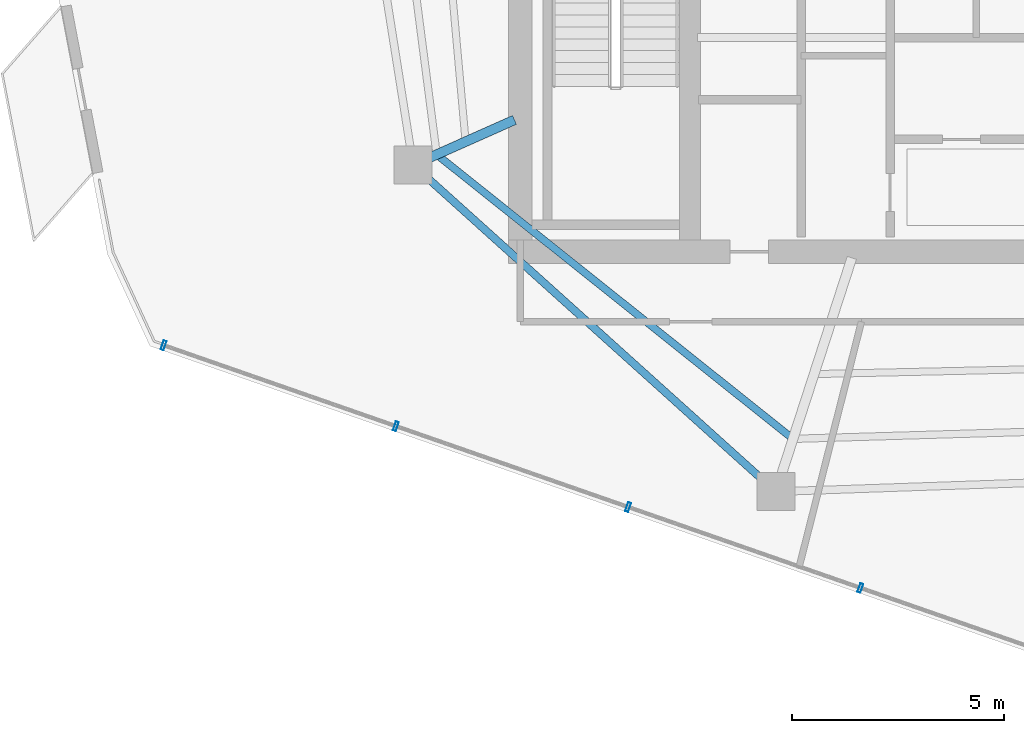
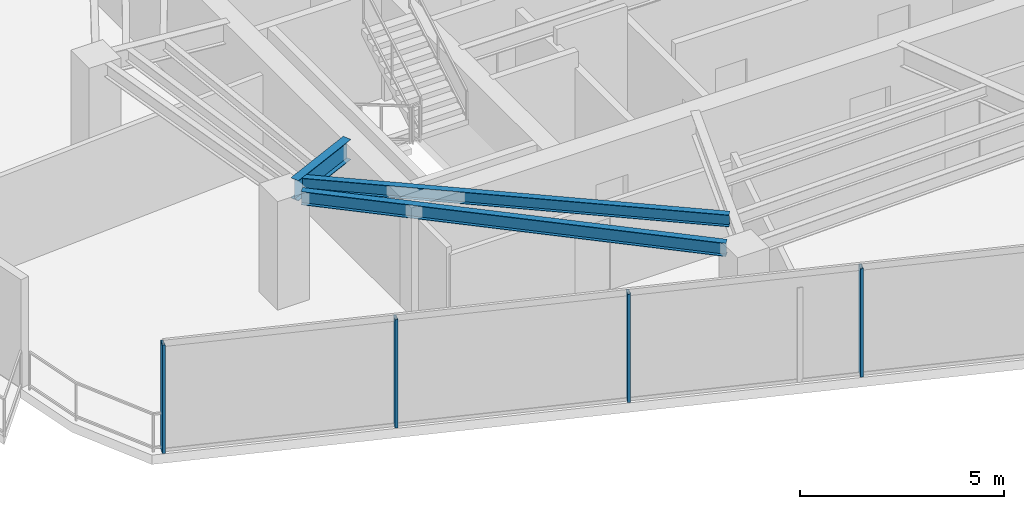
# One storey, part 2 of 18: 4 members, 3 beams, 1 element without a shape of its own.
"""IFC4 building model written with IfcOpenShell, lengths in metres."""

from ifc_helpers import new_model, si_unit, direction, frame, origin, origin_2d, place, context, subcontext, project, spatial, hollow_rectangle, i_section, extrude, material, layer, layer_set, material_profile, profile_set, type_object, element, aggregate, save


model = new_model("IFC4")

# Units and contexts
model_context = context("Model", 3, precision=1e-05, world=origin(), true_north=direction((0.0, 1.0)))
body_context = subcontext(model_context, "Body", "Model", "MODEL_VIEW")
ifc_project = project(units=[si_unit("LENGTHUNIT", "METRE"), si_unit("AREAUNIT", "SQUARE_METRE"), si_unit("VOLUMEUNIT", "CUBIC_METRE"), si_unit("PLANEANGLEUNIT", "RADIAN"), si_unit("MASSUNIT", "GRAM", prefix="KILO")], contexts=[model_context])

# Site, building, storey
site_placement = place(None, origin())
site = spatial("IfcSite", under=ifc_project, at=site_placement, CompositionType="ELEMENT")
building_placement = place(site_placement, origin())
building = spatial("IfcBuilding", under=site, at=building_placement, Name="Qarnah Convention Tower", CompositionType="ELEMENT")
storey_placement = place(building_placement, frame((0.0, 0.0, 220.199951171875)))
storey = spatial("IfcBuildingStorey", under=building, at=storey_placement, Name="L59", CompositionType="ELEMENT", Elevation=220.199951171875)

# Beams
ifc_material_1 = material(Name="Structural steel S355JR", Category="steel")
ifc_material_profile_1 = material_profile(ifc_material_1, i_section(OverallWidth=0.172119140625, OverallDepth=0.35595703125, WebThickness=0.007080078125, FlangeThickness=0.011962890625, at=origin_2d()), Name="W360X51")
ifc_profile_set_1 = profile_set([ifc_material_profile_1], Name="Structural steel S355JR")
beam_type_1 = type_object("IfcBeamType", Name="BM-JST-W360", PredefinedType="JOIST", material=ifc_profile_set_1)
beam_1_placement = place(storey_placement, frame((24.89892578125, 20.8359375, 3.06201171875), z_axis=(0.781677166358, -0.62368325903, 0.0), x_axis=(0.62368325903, 0.781677166358, 0.0)))
element("IfcBeam", 1, at=beam_1_placement, inside=storey, type_object=beam_type_1, Name="L59 joist BM-L59-SJST-06", PredefinedType="JOIST", context=body_context, shape_type="SweptSolid", body=[
    extrude(i_section(OverallWidth=0.172119140625, OverallDepth=0.35595703125, WebThickness=0.007080078125, FlangeThickness=0.011962890625, at=origin_2d()), origin(), (0.0, 0.0, 1.0), 10.569580078125),
])
ifc_material_profile_2 = material_profile(ifc_material_1, i_section(OverallWidth=0.22802734375, OverallDepth=0.60791015625, WebThickness=0.010986328125, FlangeThickness=0.01708984375, at=origin_2d()), Name="W610X113")
ifc_profile_set_2 = profile_set([ifc_material_profile_2], Name="Structural steel S355JR")
beam_type_2 = type_object("IfcBeamType", Name="BM-RAD-W610B", PredefinedType="BEAM", material=ifc_profile_set_2)
beam_2_placement = place(storey_placement, frame((26.6630859375, 21.708984375, 2.93603515625), z_axis=(-0.913585734164, -0.406646168471, 0.0), x_axis=(0.406646168471, -0.913585734164, 0.0)))
element("IfcBeam", 2, at=beam_2_placement, inside=storey, type_object=beam_type_2, Name="L59 beam BM-L59-RAD-06", PredefinedType="BEAM", context=body_context, shape_type="SweptSolid", body=[
    extrude(i_section(OverallWidth=0.22802734375, OverallDepth=0.60791015625, WebThickness=0.010986328125, FlangeThickness=0.01708984375, at=origin_2d()), origin(), (0.0, 0.0, 1.0), 2.18603515625),
])
ifc_material_profile_3 = material_profile(ifc_material_1, i_section(OverallWidth=0.179931640625, OverallDepth=0.39990234375, WebThickness=0.009033203125, FlangeThickness=0.013916015625, at=origin_2d()), Name="IPE400")
ifc_profile_set_3 = profile_set([ifc_material_profile_3], Name="Structural steel S355JR")
beam_type_3 = type_object("IfcBeamType", Name="BM-SPN-IPE400", PredefinedType="SPANDREL", material=ifc_profile_set_3)
beam_3_placement = place(storey_placement, frame((24.60009765625, 20.35107421875, 3.0400390625), z_axis=(0.743102275255, -0.669177860147, 0.0), x_axis=(0.669177860147, 0.743102275255, 0.0)))
element("IfcBeam", 3, at=beam_3_placement, inside=storey, type_object=beam_type_3, Name="L59 spandrel BM-L59-SPN-06", PredefinedType="SPANDREL", context=body_context, shape_type="SweptSolid", body=[
    extrude(i_section(OverallWidth=0.179931640625, OverallDepth=0.39990234375, WebThickness=0.009033203125, FlangeThickness=0.013916015625, at=origin_2d()), origin(), (0.0, 0.0, 1.0), 10.630859375),
])

# Curtain wall, members
ifc_material_2 = material(Name="Tempered Low-E dark glass", Category="glass")
ifc_layer = layer(ifc_material_2, 0.174072265625)
ifc_layer_set = layer_set([ifc_layer], Name="Tempered Low-E dark glass")
curtain_wall_type = type_object("IfcCurtainWallType", Name="CWS-04", PredefinedType="NOTDEFINED", material=ifc_layer_set)
curtain_wall_placement = place(storey_placement, origin())
curtain_wall = element("IfcCurtainWall", 4, at=curtain_wall_placement, inside=storey, type_object=curtain_wall_type, Name="L59 unitised curtain wall CW-L59-F2", PredefinedType="NOTDEFINED")
ifc_material_3 = material(Name="Black anodised aluminium", Category="aluminium")
ifc_material_profile_4 = material_profile(ifc_material_3, hollow_rectangle(XDim=0.074951171875, YDim=0.219970703125, WallThickness=0.0048828125, at=origin_2d()), Name="MUL-75X220")
ifc_profile_set_4 = profile_set([ifc_material_profile_4], Name="Black anodised aluminium")
member_type = type_object("IfcMemberType", Name="MUL-T4", PredefinedType="MULLION", material=ifc_profile_set_4)
member_1_placement = place(storey_placement, frame((34.81982421875, 10.67138671875, 0.0), z_axis=(0.0, 0.0, 1.0), x_axis=(-0.944373902094, 0.328873734194, 0.0)))
member_1 = element("IfcMember", 5, at=member_1_placement, type_object=member_type, Name="CW-L59-F2 mullion 3", PredefinedType="MULLION", context=body_context, shape_type="SweptSolid", body=[
    extrude(hollow_rectangle(XDim=0.074951171875, YDim=0.219970703125, WallThickness=0.0048828125, at=origin_2d()), origin(), (0.0, 0.0, 1.0), 3.239990234375),
])
member_2_placement = place(storey_placement, frame((29.34326171875, 12.57861328125, 0.0), z_axis=(0.0, 0.0, 1.0), x_axis=(-0.944373902094, 0.328873734194, 0.0)))
member_2 = element("IfcMember", 6, at=member_2_placement, type_object=member_type, Name="CW-L59-F2 mullion 4", PredefinedType="MULLION", context=body_context, shape_type="SweptSolid", body=[
    extrude(hollow_rectangle(XDim=0.074951171875, YDim=0.219970703125, WallThickness=0.0048828125, at=origin_2d()), origin(), (0.0, 0.0, 1.0), 3.239990234375),
])
member_3_placement = place(storey_placement, frame((23.86669921875, 14.48583984375, 0.0), z_axis=(0.0, 0.0, 1.0), x_axis=(-0.944373902094, 0.328873734194, 0.0)))
member_3 = element("IfcMember", 7, at=member_3_placement, type_object=member_type, Name="CW-L59-F2 mullion 5", PredefinedType="MULLION", context=body_context, shape_type="SweptSolid", body=[
    extrude(hollow_rectangle(XDim=0.074951171875, YDim=0.219970703125, WallThickness=0.0048828125, at=origin_2d()), origin(), (0.0, 0.0, 1.0), 3.239990234375),
])
member_4_placement = place(storey_placement, frame((18.389892578125, 16.39306640625, 0.0), z_axis=(0.0, 0.0, 1.0), x_axis=(-0.944373902094, 0.328873734194, 0.0)))
member_4 = element("IfcMember", 8, at=member_4_placement, type_object=member_type, Name="CW-L59-F2 mullion 6", PredefinedType="MULLION", context=body_context, shape_type="SweptSolid", body=[
    extrude(hollow_rectangle(XDim=0.074951171875, YDim=0.219970703125, WallThickness=0.0048828125, at=origin_2d()), origin(), (0.0, 0.0, 1.0), 3.239990234375),
])
aggregate(curtain_wall, [member_1, member_2, member_3, member_4])

save(model, "model.ifc")
